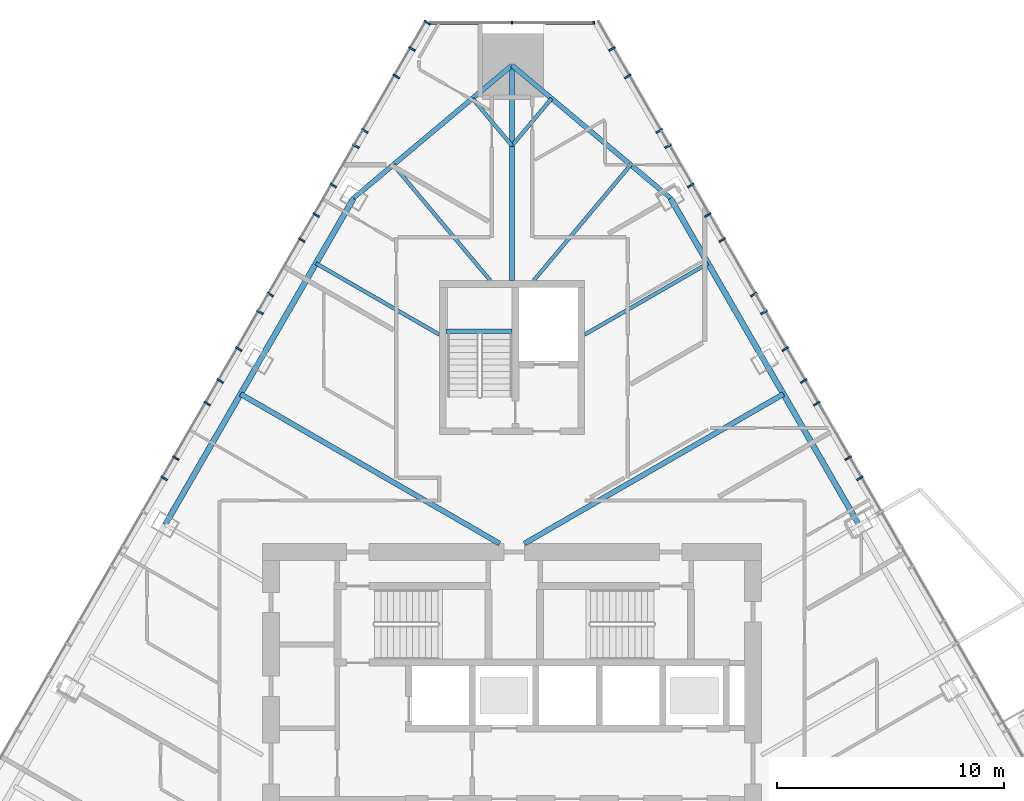
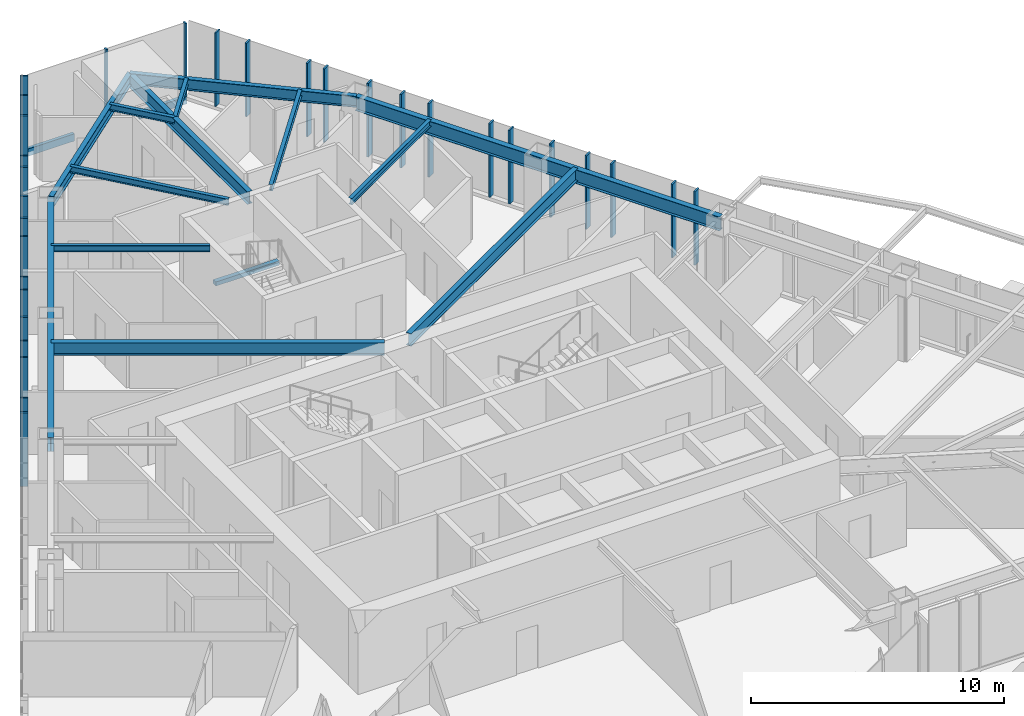
# One storey, part 7 of 21: 33 members, 14 beams, 3 elements without a shape of their own.
"""IFC4 building model written with IfcOpenShell, lengths in metres."""

import ifcopenshell
import ifcopenshell.guid

model = None  # the IFC model being written
_history = None  # IfcOwnerHistory: only IFC2X3 demands one
_inside = {}  # id of a spatial element -> (the spatial element, [elements in it])
_under = {}  # id of a project, library or spatial element -> (it, [spatial elements below it])
_declared = {}  # id of a project -> (the project, [libraries it declares])
_typed = {}  # id of a type object -> (the type object, [elements of that type])
_made_of = {}  # id of a material, layer set ... -> (it, [elements and type objects made of it])


def new_model(schema):
    """Start an empty IFC model of exactly this schema.

    Asked for "IFC4X3", IfcOpenShell would pick the latest addendum, in which some entities
    have other attributes; the version numbers below select the first issue.
    IFC2X3 requires an IfcOwnerHistory on every rooted entity: one is made here for all.
    """
    global model, _history
    if schema == "IFC4X3":
        model = ifcopenshell.file(schema_version=(4, 3, 0, 0))
    else:
        model = ifcopenshell.file(schema=schema)
    _inside.clear()
    _under.clear()
    _declared.clear()
    _typed.clear()
    _made_of.clear()
    _history = None
    if model.schema == "IFC2X3":
        org = make("IfcOrganization", Name="unknown")
        user = make(
            "IfcPersonAndOrganization",
            ThePerson=make("IfcPerson", FamilyName="unknown"),
            TheOrganization=org,
        )
        app = make(
            "IfcApplication",
            ApplicationDeveloper=org,
            Version="unknown",
            ApplicationFullName="unknown",
            ApplicationIdentifier="unknown",
        )
        _history = make(
            "IfcOwnerHistory",
            OwningUser=user,
            OwningApplication=app,
            ChangeAction="ADDED",
            CreationDate=0,
        )
    return model


def make(cls, **values):
    """One entity of the class cls with the attributes given. An attribute that is None is left unset."""
    return model.create_entity(
        cls, **{name: value for name, value in values.items() if value is not None}
    )


def rooted(cls, **values):
    """An entity with a GlobalId (a new one), such as an element, a storey or a relation."""
    return make(cls, GlobalId=ifcopenshell.guid.new(), OwnerHistory=_history, **values)


def si_unit(unit_type, name, prefix=None):
    """IfcSIUnit, for example si_unit("LENGTHUNIT", "METRE", prefix="MILLI")."""
    return make("IfcSIUnit", UnitType=unit_type, Prefix=prefix, Name=name)


def assignment(units):
    """IfcUnitAssignment: the units of a project."""
    return None if units is None else make("IfcUnitAssignment", Units=units)


def point(xyz):
    """IfcCartesianPoint."""
    return None if xyz is None else make("IfcCartesianPoint", Coordinates=xyz)


def direction(xyz):
    """IfcDirection."""
    return None if xyz is None else make("IfcDirection", DirectionRatios=xyz)


def frame(location, z_axis=None, x_axis=None):
    """IfcAxis2Placement3D, a coordinate frame: its origin and axes. An axis left out is left unset."""
    return make(
        "IfcAxis2Placement3D",
        Location=point(location),
        Axis=direction(z_axis),
        RefDirection=direction(x_axis),
    )


def frame_2d(location, x_axis=None):
    """IfcAxis2Placement2D, a coordinate frame in the plane: its origin and x axis."""
    return make(
        "IfcAxis2Placement2D", Location=point(location), RefDirection=direction(x_axis)
    )


def origin():
    """The frame at (0, 0, 0) with its axes left unset."""
    return frame((0.0, 0.0, 0.0))


def origin_2d():
    """The frame at (0, 0) in the plane with its x axis left unset."""
    return frame_2d((0.0, 0.0))


def place(relative_to, where):
    """IfcLocalPlacement: puts the frame where relative to a parent placement (None: the world)."""
    return make(
        "IfcLocalPlacement", PlacementRelTo=relative_to, RelativePlacement=where
    )


def context(
    kind, dimensions, precision=None, world=None, true_north=None, identifier=None
):
    """IfcGeometricRepresentationContext, for example the 3D "Model" context."""
    return make(
        "IfcGeometricRepresentationContext",
        ContextIdentifier=identifier,
        ContextType=kind,
        CoordinateSpaceDimension=dimensions,
        Precision=precision,
        WorldCoordinateSystem=world,
        TrueNorth=true_north,
    )


def subcontext(parent, identifier, kind, view, scale=None):
    """IfcGeometricRepresentationSubContext, for example "Body" below "Model"."""
    return make(
        "IfcGeometricRepresentationSubContext",
        ContextIdentifier=identifier,
        ContextType=kind,
        ParentContext=parent,
        TargetScale=scale,
        TargetView=view,
    )


def project(units=None, contexts=None):
    """IfcProject with its units and contexts."""
    return rooted(
        "IfcProject",
        Name="project",
        RepresentationContexts=contexts,
        UnitsInContext=assignment(units),
    )


def spatial(cls, under=None, at=None, **own):
    """A site, building, storey or space (cls), placed at a placement, below another one or the project."""
    s = rooted(cls, ObjectPlacement=at, **own)
    if under is not None:
        _under.setdefault(under.id(), (under, []))[1].append(s)
    return s


def profile(cls, at=None, kind="AREA", **sizes):
    """A parametric profile (cls). Its sizes go by their IFC names, for example OverallWidth=200.0."""
    return make(cls, ProfileType=kind, Position=at, **sizes)


def rectangle(**sizes):
    """IfcRectangleProfileDef."""
    return profile("IfcRectangleProfileDef", **sizes)


def i_section(**sizes):
    """IfcIShapeProfileDef."""
    return profile("IfcIShapeProfileDef", **sizes)


def extrude(swept, where, along, depth):
    """IfcExtrudedAreaSolid: the profile swept, set in the frame where, extruded along a direction by depth."""
    return make(
        "IfcExtrudedAreaSolid",
        SweptArea=swept,
        Position=where,
        ExtrudedDirection=direction(along),
        Depth=depth,
    )


def shape(context_of_items, identifier, shape_type, items):
    """IfcShapeRepresentation: the items that make up one representation, for example the "Body"."""
    return make(
        "IfcShapeRepresentation",
        ContextOfItems=context_of_items,
        RepresentationIdentifier=identifier,
        RepresentationType=shape_type,
        Items=items,
    )


def material(Name=None, Category=None):
    """IfcMaterial."""
    return make("IfcMaterial", Name=Name, Category=Category)


def layer(
    of_material, thickness, ventilated=None, Name=None, Category=None, Priority=None
):
    """IfcMaterialLayer: one layer of a wall or slab, of a material (None: an air gap)."""
    return make(
        "IfcMaterialLayer",
        Material=of_material,
        LayerThickness=thickness,
        IsVentilated=ventilated,
        Name=Name,
        Category=Category,
        Priority=Priority,
    )


def layer_set(layers, Name=None):
    """IfcMaterialLayerSet."""
    return make("IfcMaterialLayerSet", MaterialLayers=layers, LayerSetName=Name)


def material_profile(
    of_material, cross_section, Name=None, Category=None, Priority=None
):
    """IfcMaterialProfile: a cross section and its material."""
    return make(
        "IfcMaterialProfile",
        Name=Name,
        Material=of_material,
        Profile=cross_section,
        Priority=Priority,
        Category=Category,
    )


def profile_set(profiles, Name=None, composite=None):
    """IfcMaterialProfileSet."""
    return make(
        "IfcMaterialProfileSet",
        Name=Name,
        MaterialProfiles=profiles,
        CompositeProfile=composite,
    )


def made_of(thing, what):
    """Note that an element or type object is made of a material, layer set ...; save() writes the relation."""
    if what is not None:
        _made_of.setdefault(what.id(), (what, []))[1].append(thing)
    return thing


def type_object(cls, material=None, **own):
    """A type object (cls), such as IfcWallType, which elements share."""
    return made_of(rooted(cls, **own), material)


def element(
    cls,
    number,
    at=None,
    inside=None,
    cuts=None,
    type_object=None,
    material=None,
    context=None,
    identifier="Body",
    shape_type=None,
    held_by="IfcProductDefinitionShape",
    body=None,
    shapes=None,
    **own,
):
    """One element of the class cls, such as IfcWall. Its Tag is "e" and its number.

    at: its placement. inside: the storey or other place that contains it. cuts: it is an
    opening in that element (IfcRelVoidsElement). A single representation is given by context,
    identifier, shape_type and body (its items); several are given by shapes. held_by: the class
    of the entity that holds the representations. save() writes the other relations.
    """
    e = rooted(cls, Tag="e%d" % number, ObjectPlacement=at, **own)
    if body is not None:
        shapes = [shape(context, identifier, shape_type, body)]
    if shapes is not None:
        e.Representation = make(held_by, Representations=shapes)
    if inside is not None:
        _inside.setdefault(inside.id(), (inside, []))[1].append(e)
    if cuts is not None:
        rooted(
            "IfcRelVoidsElement", RelatingBuildingElement=cuts, RelatedOpeningElement=e
        )
    if type_object is not None:
        _typed.setdefault(type_object.id(), (type_object, []))[1].append(e)
    return made_of(e, material)


def aggregate(whole, parts):
    """IfcRelAggregates: a whole, such as a stair, and the parts it consists of."""
    return rooted("IfcRelAggregates", RelatingObject=whole, RelatedObjects=parts)


def save(model, path):
    """Write the relations noted so far, then the file.

    IfcRelAggregates (storeys below a building ...), IfcRelContainedInSpatialStructure (elements
    in a storey), IfcRelDefinesByType, IfcRelAssociatesMaterial and IfcRelDeclares: one each for
    every whole, place, type object, material and project.
    """
    for whole, parts in _under.values():
        aggregate(whole, parts)
    for where, things in _inside.values():
        rooted(
            "IfcRelContainedInSpatialStructure",
            RelatedElements=things,
            RelatingStructure=where,
        )
    for kind, things in _typed.values():
        rooted("IfcRelDefinesByType", RelatedObjects=things, RelatingType=kind)
    for what, things in _made_of.values():
        rooted("IfcRelAssociatesMaterial", RelatedObjects=things, RelatingMaterial=what)
    for by, libraries in _declared.values():
        rooted("IfcRelDeclares", RelatingContext=by, RelatedDefinitions=libraries)
    model.write(path)


model = new_model("IFC4")

# Units and contexts
model_context = context("Model", 3, precision=1e-05, world=origin(), true_north=direction((0.0, 1.0)))
body_context = subcontext(model_context, "Body", "Model", "MODEL_VIEW")
ifc_project = project(units=[si_unit("LENGTHUNIT", "METRE"), si_unit("AREAUNIT", "SQUARE_METRE"), si_unit("VOLUMEUNIT", "CUBIC_METRE"), si_unit("PLANEANGLEUNIT", "RADIAN"), si_unit("MASSUNIT", "GRAM", prefix="KILO")], contexts=[model_context])

# Site, building, storey
site_placement = place(None, origin())
site = spatial("IfcSite", under=ifc_project, at=site_placement, CompositionType="ELEMENT")
building_placement = place(site_placement, origin())
building = spatial("IfcBuilding", under=site, at=building_placement, Name="Firuza Gate Tower and Library", CompositionType="ELEMENT")
storey_placement = place(building_placement, frame((0.0, 0.0, 222.10009765625)))
storey = spatial("IfcBuildingStorey", under=building, at=storey_placement, Name="L52", CompositionType="ELEMENT", Elevation=222.10009765625)

# Curtain wall, members
ifc_material_1 = material(Name="Aluminium 6063-T6", Category="aluminium")
ifc_layer_1 = layer(ifc_material_1, 0.14990234375)
ifc_layer_set_1 = layer_set([ifc_layer_1], Name="Corner curtain wall, chamfers")
curtain_wall_type_1 = type_object("IfcCurtainWallType", Name="Corner curtain wall, chamfers", PredefinedType="NOTDEFINED", material=ifc_layer_set_1)
placement = place(storey_placement, origin())
curtain_wall_1 = element("IfcCurtainWall", 1, at=placement, inside=storey, type_object=curtain_wall_type_1, Name="CW4 L52 N corner", PredefinedType="NOTDEFINED")
ifc_material_2 = material(Name="Aluminium 6063-T6", Category="aluminium")
ifc_material_profile_1 = material_profile(ifc_material_2, rectangle(XDim=0.14990234375, YDim=0.080078125, at=origin_2d()))
ifc_profile_set_1 = profile_set([ifc_material_profile_1], Name="Aluminium 6063-T6")
member_type_1 = type_object("IfcMemberType", Name="Curtain wall mullion 80x150", PredefinedType="MULLION", material=ifc_profile_set_1)
member_1_placement = place(storey_placement, frame((78.603271484375, 105.966552734375, 0.14990234375), z_axis=(0.0, 0.0, 1.0), x_axis=(0.0, -1.0, 0.0)))
member_1 = element("IfcMember", 2, at=member_1_placement, type_object=member_type_1, Name="Mullion", PredefinedType="MULLION", context=body_context, shape_type="SweptSolid", body=[
    extrude(rectangle(XDim=0.14990234375, YDim=0.080078125, at=origin_2d()), origin(), (0.0, 0.0, 1.0), 3.550048828125),
])
member_2_placement = place(storey_placement, frame((75.0, 105.966552734375, 0.14990234375), z_axis=(0.0, 0.0, 1.0), x_axis=(0.0, -1.0, 0.0)))
member_2 = element("IfcMember", 3, at=member_2_placement, type_object=member_type_1, Name="Mullion", PredefinedType="MULLION", context=body_context, shape_type="SweptSolid", body=[
    extrude(rectangle(XDim=0.14990234375, YDim=0.080078125, at=origin_2d()), origin(), (0.0, 0.0, 1.0), 3.550048828125),
])

ifc_material_3 = material(Name="Aluminium 6063-T6", Category="aluminium")
ifc_layer_2 = layer(ifc_material_3, 0.14990234375)
ifc_layer_set_2 = layer_set([ifc_layer_2], Name="Unitised curtain wall, hotel")
curtain_wall_type_2 = type_object("IfcCurtainWallType", Name="Unitised curtain wall, hotel", PredefinedType="NOTDEFINED", material=ifc_layer_set_2)
curtain_wall_2 = element("IfcCurtainWall", 4, at=placement, inside=storey, type_object=curtain_wall_type_2, Name="CW2 L52 E face", PredefinedType="NOTDEFINED")
ifc_material_4 = material(Name="Aluminium 6063-T6", Category="aluminium")
ifc_material_profile_2 = material_profile(ifc_material_4, rectangle(XDim=0.320068359375, YDim=0.080078125, at=origin_2d()))
ifc_profile_set_2 = profile_set([ifc_material_profile_2], Name="Aluminium 6063-T6")
member_type_2 = type_object("IfcMemberType", Name="Curtain wall mullion 80x320", PredefinedType="MULLION", material=ifc_profile_set_2)
member_3_placement = place(storey_placement, frame((89.826171875, 86.766845703125, 0.14990234375), z_axis=(0.0, 0.0, 1.0), x_axis=(-0.866025403784, -0.5, 0.0)))
member_3 = element("IfcMember", 5, at=member_3_placement, type_object=member_type_2, Name="Mullion", PredefinedType="MULLION", context=body_context, shape_type="SweptSolid", body=[
    extrude(rectangle(XDim=0.320068359375, YDim=0.080078125, at=origin_2d()), origin(), (0.0, 0.0, 1.0), 3.550048828125),
])
member_4_placement = place(storey_placement, frame((88.4375, 89.172119140625, 0.14990234375), z_axis=(0.0, 0.0, 1.0), x_axis=(-0.866025403784, -0.5, 0.0)))
member_4 = element("IfcMember", 6, at=member_4_placement, type_object=member_type_2, Name="Mullion", PredefinedType="MULLION", context=body_context, shape_type="SweptSolid", body=[
    extrude(rectangle(XDim=0.320068359375, YDim=0.080078125, at=origin_2d()), origin(), (0.0, 0.0, 1.0), 3.550048828125),
])
member_5_placement = place(storey_placement, frame((87.048828125, 91.577392578125, 0.14990234375), z_axis=(0.0, 0.0, 1.0), x_axis=(-0.866025403784, -0.5, 0.0)))
member_5 = element("IfcMember", 7, at=member_5_placement, type_object=member_type_2, Name="Mullion", PredefinedType="MULLION", context=body_context, shape_type="SweptSolid", body=[
    extrude(rectangle(XDim=0.320068359375, YDim=0.080078125, at=origin_2d()), origin(), (0.0, 0.0, 1.0), 3.550048828125),
])
member_6_placement = place(storey_placement, frame((85.66015625, 93.982666015625, 0.14990234375), z_axis=(0.0, 0.0, 1.0), x_axis=(-0.866025403784, -0.5, 0.0)))
member_6 = element("IfcMember", 8, at=member_6_placement, type_object=member_type_2, Name="Mullion", PredefinedType="MULLION", context=body_context, shape_type="SweptSolid", body=[
    extrude(rectangle(XDim=0.320068359375, YDim=0.080078125, at=origin_2d()), origin(), (0.0, 0.0, 1.0), 3.550048828125),
])
member_7_placement = place(storey_placement, frame((84.271484375, 96.387939453125, 0.14990234375), z_axis=(0.0, 0.0, 1.0), x_axis=(-0.866025403784, -0.5, 0.0)))
member_7 = element("IfcMember", 9, at=member_7_placement, type_object=member_type_2, Name="Mullion", PredefinedType="MULLION", context=body_context, shape_type="SweptSolid", body=[
    extrude(rectangle(XDim=0.320068359375, YDim=0.080078125, at=origin_2d()), origin(), (0.0, 0.0, 1.0), 3.550048828125),
])
member_8_placement = place(storey_placement, frame((82.8828125, 98.793212890625, 0.14990234375), z_axis=(0.0, 0.0, 1.0), x_axis=(-0.866025403784, -0.5, 0.0)))
member_8 = element("IfcMember", 10, at=member_8_placement, type_object=member_type_2, Name="Mullion", PredefinedType="MULLION", context=body_context, shape_type="SweptSolid", body=[
    extrude(rectangle(XDim=0.320068359375, YDim=0.080078125, at=origin_2d()), origin(), (0.0, 0.0, 1.0), 3.550048828125),
])
member_9_placement = place(storey_placement, frame((81.494140625, 101.198486328125, 0.14990234375), z_axis=(0.0, 0.0, 1.0), x_axis=(-0.866025403784, -0.5, 0.0)))
member_9 = element("IfcMember", 11, at=member_9_placement, type_object=member_type_2, Name="Mullion", PredefinedType="MULLION", context=body_context, shape_type="SweptSolid", body=[
    extrude(rectangle(XDim=0.320068359375, YDim=0.080078125, at=origin_2d()), origin(), (0.0, 0.0, 1.0), 3.550048828125),
])
member_10_placement = place(storey_placement, frame((80.10546875, 103.603759765625, 0.14990234375), z_axis=(0.0, 0.0, 1.0), x_axis=(-0.866025403784, -0.5, 0.0)))
member_10 = element("IfcMember", 12, at=member_10_placement, type_object=member_type_2, Name="Mullion", PredefinedType="MULLION", context=body_context, shape_type="SweptSolid", body=[
    extrude(rectangle(XDim=0.320068359375, YDim=0.080078125, at=origin_2d()), origin(), (0.0, 0.0, 1.0), 3.550048828125),
])
member_11_placement = place(storey_placement, frame((90.3388671875, 85.879150390625, 0.14990234375), z_axis=(0.0, 0.0, 1.0), x_axis=(-0.866025403784, -0.5, 0.0)))
member_11 = element("IfcMember", 13, at=member_11_placement, type_object=member_type_2, Name="Mullion", PredefinedType="MULLION", context=body_context, shape_type="SweptSolid", body=[
    extrude(rectangle(XDim=0.320068359375, YDim=0.080078125, at=origin_2d()), origin(), (0.0, 0.0, 1.0), 3.550048828125),
])
member_12_placement = place(storey_placement, frame((87.86328125, 90.167236328125, 0.14990234375), z_axis=(0.0, 0.0, 1.0), x_axis=(-0.866025403784, -0.5, 0.0)))
member_12 = element("IfcMember", 14, at=member_12_placement, type_object=member_type_2, Name="Mullion", PredefinedType="MULLION", context=body_context, shape_type="SweptSolid", body=[
    extrude(rectangle(XDim=0.320068359375, YDim=0.080078125, at=origin_2d()), origin(), (0.0, 0.0, 1.0), 3.550048828125),
])
member_13_placement = place(storey_placement, frame((86.111083984375, 93.201904296875, 0.14990234375), z_axis=(0.0, 0.0, 1.0), x_axis=(-0.866025403784, -0.5, 0.0)))
member_13 = element("IfcMember", 15, at=member_13_placement, type_object=member_type_2, Name="Mullion", PredefinedType="MULLION", context=body_context, shape_type="SweptSolid", body=[
    extrude(rectangle(XDim=0.320068359375, YDim=0.080078125, at=origin_2d()), origin(), (0.0, 0.0, 1.0), 3.550048828125),
])
member_14_placement = place(storey_placement, frame((83.63525390625, 97.489990234375, 0.14990234375), z_axis=(0.0, 0.0, 1.0), x_axis=(-0.866025403784, -0.5, 0.0)))
member_14 = element("IfcMember", 16, at=member_14_placement, type_object=member_type_2, Name="Mullion", PredefinedType="MULLION", context=body_context, shape_type="SweptSolid", body=[
    extrude(rectangle(XDim=0.320068359375, YDim=0.080078125, at=origin_2d()), origin(), (0.0, 0.0, 1.0), 3.550048828125),
])
member_15_placement = place(storey_placement, frame((81.88330078125, 100.524658203125, 0.14990234375), z_axis=(0.0, 0.0, 1.0), x_axis=(-0.866025403784, -0.5, 0.0)))
member_15 = element("IfcMember", 17, at=member_15_placement, type_object=member_type_2, Name="Mullion", PredefinedType="MULLION", context=body_context, shape_type="SweptSolid", body=[
    extrude(rectangle(XDim=0.320068359375, YDim=0.080078125, at=origin_2d()), origin(), (0.0, 0.0, 1.0), 3.550048828125),
])
member_16_placement = place(storey_placement, frame((79.407470703125, 104.812744140625, 0.14990234375), z_axis=(0.0, 0.0, 1.0), x_axis=(-0.866025403784, -0.5, 0.0)))
member_16 = element("IfcMember", 18, at=member_16_placement, type_object=member_type_2, Name="Mullion", PredefinedType="MULLION", context=body_context, shape_type="SweptSolid", body=[
    extrude(rectangle(XDim=0.320068359375, YDim=0.080078125, at=origin_2d()), origin(), (0.0, 0.0, 1.0), 3.550048828125),
])
aggregate(curtain_wall_2, [member_3, member_4, member_5, member_6, member_7, member_8, member_9, member_10, member_11, member_12, member_13, member_14, member_15, member_16])

curtain_wall_3 = element("IfcCurtainWall", 19, at=placement, inside=storey, type_object=curtain_wall_type_2, Name="CW2 L52 W face", PredefinedType="NOTDEFINED")
member_17_placement = place(storey_placement, frame((71.26318359375, 105.974365234375, 0.14990234375), z_axis=(0.0, 0.0, 1.0), x_axis=(0.866025403784, -0.5, 0.0)))
member_17 = element("IfcMember", 20, at=member_17_placement, type_object=member_type_2, Name="Mullion", PredefinedType="MULLION", context=body_context, shape_type="SweptSolid", body=[
    extrude(rectangle(XDim=0.320068359375, YDim=0.080078125, at=origin_2d()), origin(), (0.0, 0.0, 1.0), 3.550048828125),
])
member_18_placement = place(storey_placement, frame((69.89453125, 103.603759765625, 0.14990234375), z_axis=(0.0, 0.0, 1.0), x_axis=(0.866025403784, -0.5, 0.0)))
member_18 = element("IfcMember", 21, at=member_18_placement, type_object=member_type_2, Name="Mullion", PredefinedType="MULLION", context=body_context, shape_type="SweptSolid", body=[
    extrude(rectangle(XDim=0.320068359375, YDim=0.080078125, at=origin_2d()), origin(), (0.0, 0.0, 1.0), 3.550048828125),
])
member_19_placement = place(storey_placement, frame((68.505859375, 101.198486328125, 0.14990234375), z_axis=(0.0, 0.0, 1.0), x_axis=(0.866025403784, -0.5, 0.0)))
member_19 = element("IfcMember", 22, at=member_19_placement, type_object=member_type_2, Name="Mullion", PredefinedType="MULLION", context=body_context, shape_type="SweptSolid", body=[
    extrude(rectangle(XDim=0.320068359375, YDim=0.080078125, at=origin_2d()), origin(), (0.0, 0.0, 1.0), 3.550048828125),
])
member_20_placement = place(storey_placement, frame((67.1171875, 98.793212890625, 0.14990234375), z_axis=(0.0, 0.0, 1.0), x_axis=(0.866025403784, -0.5, 0.0)))
member_20 = element("IfcMember", 23, at=member_20_placement, type_object=member_type_2, Name="Mullion", PredefinedType="MULLION", context=body_context, shape_type="SweptSolid", body=[
    extrude(rectangle(XDim=0.320068359375, YDim=0.080078125, at=origin_2d()), origin(), (0.0, 0.0, 1.0), 3.550048828125),
])
member_21_placement = place(storey_placement, frame((65.728515625, 96.387939453125, 0.14990234375), z_axis=(0.0, 0.0, 1.0), x_axis=(0.866025403784, -0.5, 0.0)))
member_21 = element("IfcMember", 24, at=member_21_placement, type_object=member_type_2, Name="Mullion", PredefinedType="MULLION", context=body_context, shape_type="SweptSolid", body=[
    extrude(rectangle(XDim=0.320068359375, YDim=0.080078125, at=origin_2d()), origin(), (0.0, 0.0, 1.0), 3.550048828125),
])
member_22_placement = place(storey_placement, frame((64.33984375, 93.982666015625, 0.14990234375), z_axis=(0.0, 0.0, 1.0), x_axis=(0.866025403784, -0.5, 0.0)))
member_22 = element("IfcMember", 25, at=member_22_placement, type_object=member_type_2, Name="Mullion", PredefinedType="MULLION", context=body_context, shape_type="SweptSolid", body=[
    extrude(rectangle(XDim=0.320068359375, YDim=0.080078125, at=origin_2d()), origin(), (0.0, 0.0, 1.0), 3.550048828125),
])
member_23_placement = place(storey_placement, frame((62.951171875, 91.577392578125, 0.14990234375), z_axis=(0.0, 0.0, 1.0), x_axis=(0.866025403784, -0.5, 0.0)))
member_23 = element("IfcMember", 26, at=member_23_placement, type_object=member_type_2, Name="Mullion", PredefinedType="MULLION", context=body_context, shape_type="SweptSolid", body=[
    extrude(rectangle(XDim=0.320068359375, YDim=0.080078125, at=origin_2d()), origin(), (0.0, 0.0, 1.0), 3.550048828125),
])
member_24_placement = place(storey_placement, frame((61.5625, 89.172119140625, 0.14990234375), z_axis=(0.0, 0.0, 1.0), x_axis=(0.866025403784, -0.5, 0.0)))
member_24 = element("IfcMember", 27, at=member_24_placement, type_object=member_type_2, Name="Mullion", PredefinedType="MULLION", context=body_context, shape_type="SweptSolid", body=[
    extrude(rectangle(XDim=0.320068359375, YDim=0.080078125, at=origin_2d()), origin(), (0.0, 0.0, 1.0), 3.550048828125),
])
member_25_placement = place(storey_placement, frame((60.173828125, 86.766845703125, 0.14990234375), z_axis=(0.0, 0.0, 1.0), x_axis=(0.866025403784, -0.5, 0.0)))
member_25 = element("IfcMember", 28, at=member_25_placement, type_object=member_type_2, Name="Mullion", PredefinedType="MULLION", context=body_context, shape_type="SweptSolid", body=[
    extrude(rectangle(XDim=0.320068359375, YDim=0.080078125, at=origin_2d()), origin(), (0.0, 0.0, 1.0), 3.550048828125),
])
member_26_placement = place(storey_placement, frame((70.592529296875, 104.812744140625, 0.14990234375), z_axis=(0.0, 0.0, 1.0), x_axis=(0.866025403784, -0.5, 0.0)))
member_26 = element("IfcMember", 29, at=member_26_placement, type_object=member_type_2, Name="Mullion", PredefinedType="MULLION", context=body_context, shape_type="SweptSolid", body=[
    extrude(rectangle(XDim=0.320068359375, YDim=0.080078125, at=origin_2d()), origin(), (0.0, 0.0, 1.0), 3.550048828125),
])
member_27_placement = place(storey_placement, frame((68.11669921875, 100.524658203125, 0.14990234375), z_axis=(0.0, 0.0, 1.0), x_axis=(0.866025403784, -0.5, 0.0)))
member_27 = element("IfcMember", 30, at=member_27_placement, type_object=member_type_2, Name="Mullion", PredefinedType="MULLION", context=body_context, shape_type="SweptSolid", body=[
    extrude(rectangle(XDim=0.320068359375, YDim=0.080078125, at=origin_2d()), origin(), (0.0, 0.0, 1.0), 3.550048828125),
])
member_28_placement = place(storey_placement, frame((66.36474609375, 97.489990234375, 0.14990234375), z_axis=(0.0, 0.0, 1.0), x_axis=(0.866025403784, -0.5, 0.0)))
member_28 = element("IfcMember", 31, at=member_28_placement, type_object=member_type_2, Name="Mullion", PredefinedType="MULLION", context=body_context, shape_type="SweptSolid", body=[
    extrude(rectangle(XDim=0.320068359375, YDim=0.080078125, at=origin_2d()), origin(), (0.0, 0.0, 1.0), 3.550048828125),
])
member_29_placement = place(storey_placement, frame((63.888916015625, 93.201904296875, 0.14990234375), z_axis=(0.0, 0.0, 1.0), x_axis=(0.866025403784, -0.5, 0.0)))
member_29 = element("IfcMember", 32, at=member_29_placement, type_object=member_type_2, Name="Mullion", PredefinedType="MULLION", context=body_context, shape_type="SweptSolid", body=[
    extrude(rectangle(XDim=0.320068359375, YDim=0.080078125, at=origin_2d()), origin(), (0.0, 0.0, 1.0), 3.550048828125),
])
member_30_placement = place(storey_placement, frame((62.13671875, 90.167236328125, 0.14990234375), z_axis=(0.0, 0.0, 1.0), x_axis=(0.866025403784, -0.5, 0.0)))
member_30 = element("IfcMember", 33, at=member_30_placement, type_object=member_type_2, Name="Mullion", PredefinedType="MULLION", context=body_context, shape_type="SweptSolid", body=[
    extrude(rectangle(XDim=0.320068359375, YDim=0.080078125, at=origin_2d()), origin(), (0.0, 0.0, 1.0), 3.550048828125),
])
member_31_placement = place(storey_placement, frame((59.6611328125, 85.879150390625, 0.14990234375), z_axis=(0.0, 0.0, 1.0), x_axis=(0.866025403784, -0.5, 0.0)))
member_31 = element("IfcMember", 34, at=member_31_placement, type_object=member_type_2, Name="Mullion", PredefinedType="MULLION", context=body_context, shape_type="SweptSolid", body=[
    extrude(rectangle(XDim=0.320068359375, YDim=0.080078125, at=origin_2d()), origin(), (0.0, 0.0, 1.0), 3.550048828125),
])
aggregate(curtain_wall_3, [member_17, member_18, member_19, member_20, member_21, member_22, member_23, member_24, member_25, member_26, member_27, member_28, member_29, member_30, member_31])

# Member
ifc_material_5 = material(Name="Aluminium 6063-T6", Category="aluminium")
ifc_material_profile_3 = material_profile(ifc_material_5, rectangle(XDim=0.14990234375, YDim=0.35009765625, at=origin_2d()))
ifc_profile_set_3 = profile_set([ifc_material_profile_3], Name="Aluminium 6063-T6")
member_type_3 = type_object("IfcMemberType", Name="Curtain wall transom 350x150", PredefinedType="USERDEFINED", material=ifc_profile_set_3)
member_32_placement = place(storey_placement, frame((78.643310546875, 105.966552734375, -0.025146484375), z_axis=(-1.0, 0.0, 0.0), x_axis=(0.0, -1.0, 0.0)))
member_32 = element("IfcMember", 35, at=member_32_placement, type_object=member_type_3, Name="Transom", ObjectType="TRANSOM", PredefinedType="USERDEFINED", context=body_context, shape_type="SweptSolid", body=[
    extrude(rectangle(XDim=0.14990234375, YDim=0.35009765625, at=origin_2d()), origin(), (0.0, 0.0, 1.0), 2.163330078125),
])

member_33_placement = place(storey_placement, frame((73.52001953125, 105.966552734375, -0.025146484375), z_axis=(-1.0, 0.0, 0.0), x_axis=(0.0, -1.0, 0.0)))
member_33 = element("IfcMember", 36, at=member_33_placement, type_object=member_type_3, Name="Transom", ObjectType="TRANSOM", PredefinedType="USERDEFINED", context=body_context, shape_type="SweptSolid", body=[
    extrude(rectangle(XDim=0.14990234375, YDim=0.35009765625, at=origin_2d()), origin(), (0.0, 0.0, 1.0), 2.163330078125),
])

aggregate(curtain_wall_1, [member_1, member_2, member_32, member_33])

# Beams
ifc_material_6 = material(Name="Concrete C35/45", Category="concrete")
ifc_material_profile_4 = material_profile(ifc_material_6, rectangle(XDim=0.199951171875, YDim=0.199951171875, at=origin_2d()))
ifc_profile_set_4 = profile_set([ifc_material_profile_4], Name="Concrete C35/45")
beam_type_1 = type_object("IfcBeamType", Name="Stair landing bearer 200x200", PredefinedType="BEAM", material=ifc_profile_set_4)
beam_1_placement = place(storey_placement, frame((75.0, 92.3701171875, 1.64990234375), z_axis=(-1.0, 0.0, 0.0), x_axis=(0.0, -1.0, 0.0)))
element("IfcBeam", 37, at=beam_1_placement, inside=storey, type_object=beam_type_1, Name="Landing bearer L52 stair 3", PredefinedType="BEAM", context=body_context, shape_type="SweptSolid", body=[
    extrude(rectangle(XDim=0.199951171875, YDim=0.199951171875, at=origin_2d()), origin(), (0.0, 0.0, 1.0), 2.89990234375),
])
ifc_material_7 = material(Name="Steel S355", Category="steel")
ifc_material_profile_5 = material_profile(ifc_material_7, i_section(OverallWidth=0.1650390625, OverallDepth=0.31005859375, WebThickness=0.005859375, FlangeThickness=0.009765625, at=origin_2d()))
ifc_profile_set_5 = profile_set([ifc_material_profile_5], Name="Steel S355")
beam_type_2 = type_object("IfcBeamType", Name="W310x39 Floor beam", PredefinedType="JOIST", material=ifc_profile_set_5)
beam_2_placement = place(storey_placement, frame((83.642822265625, 95.35693359375, 3.544921875), z_axis=(-0.866016100244, -0.500016113858, 0.0), x_axis=(0.500016113858, -0.866016100244, 0.0)))
element("IfcBeam", 38, at=beam_2_placement, inside=storey, type_object=beam_type_2, Name="Floor beam L52 s54", PredefinedType="JOIST", context=body_context, shape_type="SweptSolid", body=[
    extrude(i_section(OverallWidth=0.1650390625, OverallDepth=0.31005859375, WebThickness=0.005859375, FlangeThickness=0.009765625, at=origin_2d()), origin(), (0.0, 0.0, 1.0), 6.284912109375),
])
beam_3_placement = place(storey_placement, frame((80.234619140625, 99.701416015625, 3.544921875), z_axis=(-0.642615733943, -0.766188631141, 0.0), x_axis=(0.766188631141, -0.642615733943, 0.0)))
element("IfcBeam", 39, at=beam_3_placement, inside=storey, type_object=beam_type_2, Name="Floor beam L52 s60", PredefinedType="JOIST", context=body_context, shape_type="SweptSolid", body=[
    extrude(i_section(OverallWidth=0.1650390625, OverallDepth=0.31005859375, WebThickness=0.005859375, FlangeThickness=0.009765625, at=origin_2d()), origin(), (0.0, 0.0, 1.0), 6.657958984375),
])
for number, where, z_axis, x_axis, name in (
    (40, (76.744873046875, 102.628173828125, 3.544921875), (-0.642586722128, -0.766212962918, 0.0), (0.766212962918, -0.642586722128, 0.0), "Floor beam L52 s61"),
    (41, (73.255126953125, 102.628173828125, 3.544921875), (0.642586722128, -0.766212962918, 0.0), (0.766212962918, 0.642586722128, 0.0), "Floor beam L52 s70"),
):
    element("IfcBeam", number, at=place(storey_placement, frame(where, z_axis=z_axis, x_axis=x_axis)), inside=storey, type_object=beam_type_2, Name=name, PredefinedType="JOIST", context=body_context, shape_type="SweptSolid", body=[
        extrude(i_section(OverallWidth=0.1650390625, OverallDepth=0.31005859375, WebThickness=0.005859375, FlangeThickness=0.009765625, at=origin_2d()), origin(), (0.0, 0.0, 1.0), 2.71533203125),
    ])
beam_4_placement = place(storey_placement, frame((69.765380859375, 99.701416015625, 3.544921875), z_axis=(0.642615733943, -0.766188631141, 0.0), x_axis=(0.766188631141, 0.642615733943, 0.0)))
element("IfcBeam", 42, at=beam_4_placement, inside=storey, type_object=beam_type_2, Name="Floor beam L52 s71", PredefinedType="JOIST", context=body_context, shape_type="SweptSolid", body=[
    extrude(i_section(OverallWidth=0.1650390625, OverallDepth=0.31005859375, WebThickness=0.005859375, FlangeThickness=0.009765625, at=origin_2d()), origin(), (0.0, 0.0, 1.0), 6.657958984375),
])
beam_5_placement = place(storey_placement, frame((66.357177734375, 95.35693359375, 3.544921875), z_axis=(0.866016100244, -0.500016113858, 0.0), x_axis=(0.500016113858, 0.866016100244, 0.0)))
element("IfcBeam", 43, at=beam_5_placement, inside=storey, type_object=beam_type_2, Name="Floor beam L52 s80", PredefinedType="JOIST", context=body_context, shape_type="SweptSolid", body=[
    extrude(i_section(OverallWidth=0.1650390625, OverallDepth=0.31005859375, WebThickness=0.005859375, FlangeThickness=0.009765625, at=origin_2d()), origin(), (0.0, 0.0, 1.0), 6.284912109375),
])
ifc_material_8 = material(Name="Steel S355", Category="steel")
ifc_material_profile_6 = material_profile(ifc_material_8, i_section(OverallWidth=0.212890625, OverallDepth=0.5390625, WebThickness=0.01171875, FlangeThickness=0.018798828125, at=origin_2d()))
ifc_profile_set_6 = profile_set([ifc_material_profile_6], Name="Steel S355")
beam_type_3 = type_object("IfcBeamType", Name="W530x109 Edge beam", PredefinedType="SPANDREL", material=ifc_profile_set_6)
for number, where, z_axis, x_axis, name in (
    (44, (81.9794921875, 98.23828125, 3.430419921875), (-0.766218360929, 0.642580285549, 0.0), (-0.642580285549, -0.766218360929, 0.0), "Edge beam L52 e60"),
    (45, (75.0, 104.091552734375, 3.430419921875), (-0.766218360929, -0.642580285549, 0.0), (0.642580285549, -0.766218360929, 0.0), "Edge beam L52 e70"),
):
    element("IfcBeam", number, at=place(storey_placement, frame(where, z_axis=z_axis, x_axis=x_axis)), inside=storey, type_object=beam_type_3, Name=name, PredefinedType="SPANDREL", context=body_context, shape_type="SweptSolid", body=[
        extrude(i_section(OverallWidth=0.212890625, OverallDepth=0.5390625, WebThickness=0.01171875, FlangeThickness=0.018798828125, at=origin_2d()), origin(), (0.0, 0.0, 1.0), 9.109130859375),
    ])
ifc_material_9 = material(Name="Steel S355", Category="steel")
ifc_material_profile_7 = material_profile(ifc_material_9, i_section(OverallWidth=0.22802734375, OverallDepth=0.60302734375, WebThickness=0.010498046875, FlangeThickness=0.014892578125, at=origin_2d()))
ifc_profile_set_7 = profile_set([ifc_material_profile_7], Name="Steel S355")
beam_type_4 = type_object("IfcBeamType", Name="W610x101 Floor beam", PredefinedType="JOIST", material=ifc_profile_set_7)
for number, where, z_axis, x_axis, name in (
    (46, (86.969970703125, 89.59423828125, 3.3984375), (-0.866026827726, -0.499997533653, 0.0), (0.499997533653, -0.866026827726, 0.0), "Floor beam L52 s53"),
    (47, (63.030029296875, 89.59423828125, 3.3984375), (0.866026827726, -0.499997533653, 0.0), (0.499997533653, 0.866026827726, 0.0), "Floor beam L52 s81"),
):
    element("IfcBeam", number, at=place(storey_placement, frame(where, z_axis=z_axis, x_axis=x_axis)), inside=storey, type_object=beam_type_4, Name=name, PredefinedType="JOIST", context=body_context, shape_type="SweptSolid", body=[
        extrude(i_section(OverallWidth=0.22802734375, OverallDepth=0.60302734375, WebThickness=0.010498046875, FlangeThickness=0.014892578125, at=origin_2d()), origin(), (0.0, 0.0, 1.0), 13.1884765625),
    ])
ifc_material_10 = material(Name="Steel S355", Category="steel")
ifc_material_profile_8 = material_profile(ifc_material_10, i_section(OverallWidth=0.22802734375, OverallDepth=0.60302734375, WebThickness=0.010498046875, FlangeThickness=0.014892578125, at=origin_2d()))
ifc_profile_set_8 = profile_set([ifc_material_profile_8], Name="Steel S355")
beam_type_5 = type_object("IfcBeamType", Name="W610x101 Girder", PredefinedType="BEAM", material=ifc_profile_set_8)
beam_6_placement = place(storey_placement, frame((75.0, 104.091552734375, 3.3984375), z_axis=(0.0, -1.0, 0.0), x_axis=(1.0, 0.0, 0.0)))
element("IfcBeam", 48, at=beam_6_placement, inside=storey, type_object=beam_type_5, Name="Girder L52 gN", PredefinedType="BEAM", context=body_context, shape_type="SweptSolid", body=[
    extrude(i_section(OverallWidth=0.22802734375, OverallDepth=0.60302734375, WebThickness=0.010498046875, FlangeThickness=0.014892578125, at=origin_2d()), origin(), (0.0, 0.0, 1.0), 9.491455078125),
])
ifc_material_11 = material(Name="Steel S355", Category="steel")
ifc_material_profile_9 = material_profile(ifc_material_11, i_section(OverallWidth=0.2529296875, OverallDepth=0.677978515625, WebThickness=0.01171875, FlangeThickness=0.016357421875, at=origin_2d()))
ifc_profile_set_9 = profile_set([ifc_material_profile_9], Name="Steel S355")
beam_type_6 = type_object("IfcBeamType", Name="W690x125 Edge beam", PredefinedType="SPANDREL", material=ifc_profile_set_9)
for number, where, z_axis, x_axis, name in (
    (49, (90.296875, 83.831787109375, 3.36083984375), (-0.499990511393, 0.866030881965, 0.0), (-0.866030881965, -0.499990511393, 0.0), "Edge beam L52 e52"),
    (50, (68.0205078125, 98.23828125, 3.36083984375), (-0.499990511393, -0.866030881965, 0.0), (0.866030881965, -0.499990511393, 0.0), "Edge beam L52 e80"),
):
    element("IfcBeam", number, at=place(storey_placement, frame(where, z_axis=z_axis, x_axis=x_axis)), inside=storey, type_object=beam_type_6, Name=name, PredefinedType="SPANDREL", context=body_context, shape_type="SweptSolid", body=[
        extrude(i_section(OverallWidth=0.2529296875, OverallDepth=0.677978515625, WebThickness=0.01171875, FlangeThickness=0.016357421875, at=origin_2d()), origin(), (0.0, 0.0, 1.0), 16.635009765625),
    ])

save(model, "model.ifc")
